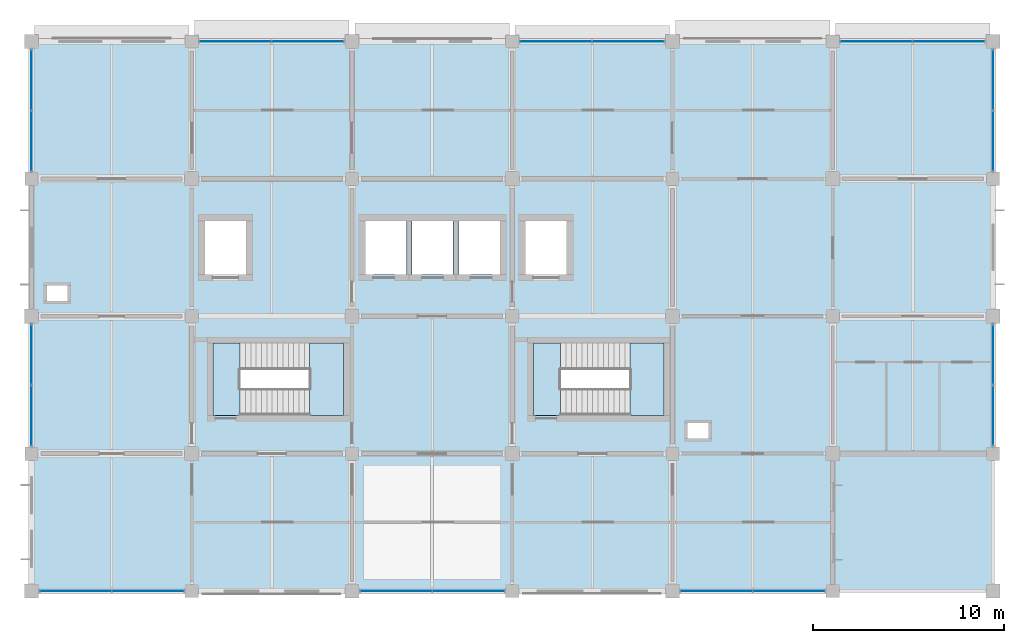
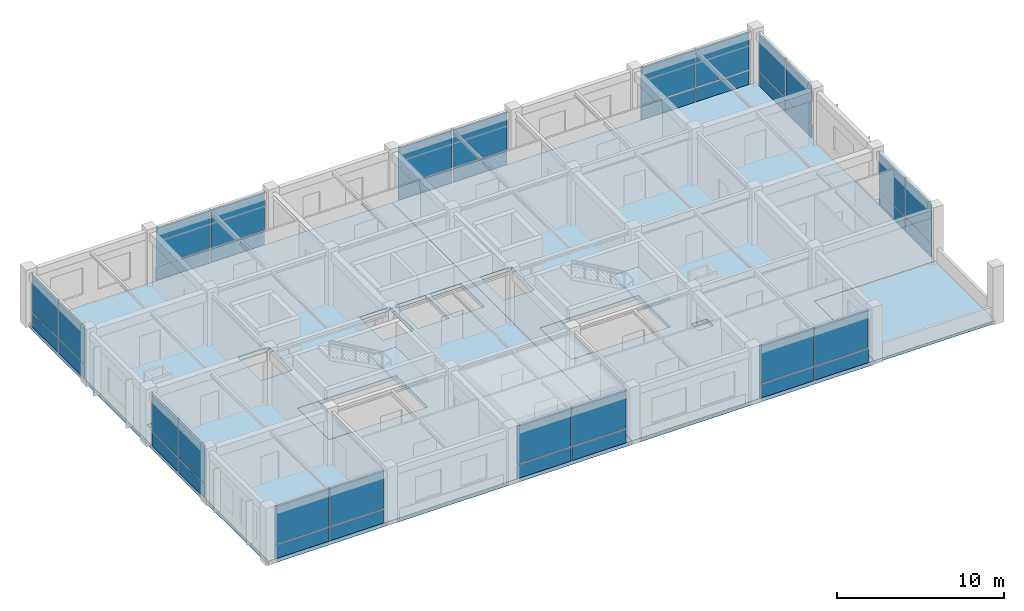
# One storey, part 7 of 14: 40 plates, 7 slabs, 12 elements without a shape of their own.
"""IFC4 building model written with IfcOpenShell, lengths in metres."""

from ifc_helpers import new_model, si_unit, derived_unit, direction, frame, origin, origin_2d, place, context, subcontext, project, spatial, polyline, rectangle, outline, extrude, material, layer, layer_set, type_object, element, aggregate, save


model = new_model("IFC4")

# Units and contexts
model_context = context("Model", 3, precision=1e-05, world=origin(), true_north=direction((0.0, 1.0)))
body_context = subcontext(model_context, "Body", "Model", "MODEL_VIEW")
ifc_project = project(units=[si_unit("LENGTHUNIT", "METRE"), si_unit("AREAUNIT", "SQUARE_METRE"), si_unit("VOLUMEUNIT", "CUBIC_METRE"), si_unit("PLANEANGLEUNIT", "RADIAN"), si_unit("MASSUNIT", "GRAM", prefix="KILO"), derived_unit("THERMALTRANSMITTANCEUNIT", [(si_unit("MASSUNIT", "GRAM", prefix="KILO"), 1), (si_unit("TIMEUNIT", "SECOND"), -3), (si_unit("THERMODYNAMICTEMPERATUREUNIT", "KELVIN"), -1)])], contexts=[model_context])

# Site, building, storey
site_placement = place(None, origin())
site = spatial("IfcSite", under=ifc_project, at=site_placement, CompositionType="ELEMENT")
building_placement = place(site_placement, origin())
building = spatial("IfcBuilding", under=site, at=building_placement, Name="Veldstrom Oceanarium and Marine Research Institute", CompositionType="ELEMENT")
storey_placement = place(building_placement, frame((0.0, 0.0, 35.39990234375)))
storey = spatial("IfcBuildingStorey", under=building, at=storey_placement, Name="L07", CompositionType="ELEMENT", Elevation=35.39990234375)

# Curtain wall, plates
ifc_material_1 = material(Name="Anodised Aluminium Framing", Category="aluminium")
curtain_wall_type_1 = type_object("IfcCurtainWallType", Name="ARC-CW-CW04", PredefinedType="USERDEFINED", material=ifc_material_1)
curtain_wall_1_placement = place(storey_placement, origin())
curtain_wall_1 = element("IfcCurtainWall", 1, at=curtain_wall_1_placement, inside=storey, type_object=curtain_wall_type_1, Name="Curtain Wall CW04 CW-L07-112", ObjectType="Curtain wall", PredefinedType="USERDEFINED")
ifc_material_2 = material(Name="Double Glazed Low-E IGU", Category="glass")
ifc_layer_1 = layer(ifc_material_2, 0.035888671875)
ifc_layer_set_1 = layer_set([ifc_layer_1], Name="ARC-PLT-CP03")
plate_type_1 = type_object("IfcPlateType", Name="ARC-PLT-CP03", PredefinedType="CURTAIN_PANEL", material=ifc_layer_set_1)
plate_1_placement = place(storey_placement, frame((69.513916015625, 43.199951171875, 1.090087890625), z_axis=(0.0, 0.0, 1.0), x_axis=(1.0, 0.0, 0.0)))
plate_1 = element("IfcPlate", 2, at=plate_1_placement, type_object=plate_type_1, Name="Curtain Vision Panel CW-L07-112-PNL-V1", PredefinedType="CURTAIN_PANEL", context=body_context, shape_type="SweptSolid", body=[
    extrude(rectangle(XDim=3.717529296875, YDim=0.035888671875, at=origin_2d()), origin(), (0.0, 0.0, 1.0), 2.81005859375),
])
plate_2_placement = place(storey_placement, frame((73.311279296875, 43.199951171875, 1.090087890625), z_axis=(0.0, 0.0, 1.0), x_axis=(1.0, 0.0, 0.0)))
plate_2 = element("IfcPlate", 3, at=plate_2_placement, type_object=plate_type_1, Name="Curtain Vision Panel CW-L07-112-PNL-V2", PredefinedType="CURTAIN_PANEL", context=body_context, shape_type="SweptSolid", body=[
    extrude(rectangle(XDim=3.717529296875, YDim=0.035888671875, at=origin_2d()), origin(), (0.0, 0.0, 1.0), 2.81005859375),
])

curtain_wall_2_placement = place(storey_placement, origin())
curtain_wall_2 = element("IfcCurtainWall", 4, at=curtain_wall_2_placement, inside=storey, type_object=curtain_wall_type_1, Name="Curtain Wall CW04 CW-L07-115", ObjectType="Curtain wall", PredefinedType="USERDEFINED")
plate_3_placement = place(storey_placement, frame((77.888916015625, 72.0, 1.090087890625), z_axis=(0.0, 0.0, 1.0), x_axis=(1.0, 0.0, 0.0)))
plate_3 = element("IfcPlate", 5, at=plate_3_placement, type_object=plate_type_1, Name="Curtain Vision Panel CW-L07-115-PNL-V1", PredefinedType="CURTAIN_PANEL", context=body_context, shape_type="SweptSolid", body=[
    extrude(rectangle(XDim=3.717529296875, YDim=0.035888671875, at=origin_2d()), origin(), (0.0, 0.0, 1.0), 2.81005859375),
])
plate_4_placement = place(storey_placement, frame((81.686279296875, 72.0, 1.090087890625), z_axis=(0.0, 0.0, 1.0), x_axis=(1.0, 0.0, 0.0)))
plate_4 = element("IfcPlate", 6, at=plate_4_placement, type_object=plate_type_1, Name="Curtain Vision Panel CW-L07-115-PNL-V2", PredefinedType="CURTAIN_PANEL", context=body_context, shape_type="SweptSolid", body=[
    extrude(rectangle(XDim=3.717529296875, YDim=0.035888671875, at=origin_2d()), origin(), (0.0, 0.0, 1.0), 2.81005859375),
])

curtain_wall_3_placement = place(storey_placement, origin())
curtain_wall_3 = element("IfcCurtainWall", 7, at=curtain_wall_3_placement, inside=storey, type_object=curtain_wall_type_1, Name="Curtain Wall CW04 CW-L07-116", ObjectType="Curtain wall", PredefinedType="USERDEFINED")
plate_5_placement = place(storey_placement, frame((86.313720703125, 43.199951171875, 1.090087890625), z_axis=(0.0, 0.0, 1.0), x_axis=(1.0, 0.0, 0.0)))
plate_5 = element("IfcPlate", 8, at=plate_5_placement, type_object=plate_type_1, Name="Curtain Vision Panel CW-L07-116-PNL-V1", PredefinedType="CURTAIN_PANEL", context=body_context, shape_type="SweptSolid", body=[
    extrude(rectangle(XDim=3.717529296875, YDim=0.035888671875, at=origin_2d()), origin(), (0.0, 0.0, 1.0), 2.81005859375),
])
plate_6_placement = place(storey_placement, frame((90.111083984375, 43.199951171875, 1.090087890625), z_axis=(0.0, 0.0, 1.0), x_axis=(1.0, 0.0, 0.0)))
plate_6 = element("IfcPlate", 9, at=plate_6_placement, type_object=plate_type_1, Name="Curtain Vision Panel CW-L07-116-PNL-V2", PredefinedType="CURTAIN_PANEL", context=body_context, shape_type="SweptSolid", body=[
    extrude(rectangle(XDim=3.717529296875, YDim=0.035888671875, at=origin_2d()), origin(), (0.0, 0.0, 1.0), 2.81005859375),
])

curtain_wall_4_placement = place(storey_placement, origin())
curtain_wall_4 = element("IfcCurtainWall", 10, at=curtain_wall_4_placement, inside=storey, type_object=curtain_wall_type_1, Name="Curtain Wall CW04 CW-L07-117", ObjectType="Curtain wall", PredefinedType="USERDEFINED")
plate_7_placement = place(storey_placement, frame((94.688720703125, 72.0, 1.090087890625), z_axis=(0.0, 0.0, 1.0), x_axis=(1.0, 0.0, 0.0)))
plate_7 = element("IfcPlate", 11, at=plate_7_placement, type_object=plate_type_1, Name="Curtain Vision Panel CW-L07-117-PNL-V1", PredefinedType="CURTAIN_PANEL", context=body_context, shape_type="SweptSolid", body=[
    extrude(rectangle(XDim=3.717529296875, YDim=0.035888671875, at=origin_2d()), origin(), (0.0, 0.0, 1.0), 2.81005859375),
])
plate_8_placement = place(storey_placement, frame((98.486083984375, 72.0, 1.090087890625), z_axis=(0.0, 0.0, 1.0), x_axis=(1.0, 0.0, 0.0)))
plate_8 = element("IfcPlate", 12, at=plate_8_placement, type_object=plate_type_1, Name="Curtain Vision Panel CW-L07-117-PNL-V2", PredefinedType="CURTAIN_PANEL", context=body_context, shape_type="SweptSolid", body=[
    extrude(rectangle(XDim=3.717529296875, YDim=0.035888671875, at=origin_2d()), origin(), (0.0, 0.0, 1.0), 2.81005859375),
])

curtain_wall_5_placement = place(storey_placement, origin())
curtain_wall_5 = element("IfcCurtainWall", 13, at=curtain_wall_5_placement, inside=storey, type_object=curtain_wall_type_1, Name="Curtain Wall CW04 CW-L07-118", ObjectType="Curtain wall", PredefinedType="USERDEFINED")
plate_9_placement = place(storey_placement, frame((103.11376953125, 43.199951171875, 1.090087890625), z_axis=(0.0, 0.0, 1.0), x_axis=(1.0, 0.0, 0.0)))
plate_9 = element("IfcPlate", 14, at=plate_9_placement, type_object=plate_type_1, Name="Curtain Vision Panel CW-L07-118-PNL-V1", PredefinedType="CURTAIN_PANEL", context=body_context, shape_type="SweptSolid", body=[
    extrude(rectangle(XDim=3.717529296875, YDim=0.035888671875, at=origin_2d()), origin(), (0.0, 0.0, 1.0), 2.81005859375),
])
plate_10_placement = place(storey_placement, frame((106.9111328125, 43.199951171875, 1.090087890625), z_axis=(0.0, 0.0, 1.0), x_axis=(1.0, 0.0, 0.0)))
plate_10 = element("IfcPlate", 15, at=plate_10_placement, type_object=plate_type_1, Name="Curtain Vision Panel CW-L07-118-PNL-V2", PredefinedType="CURTAIN_PANEL", context=body_context, shape_type="SweptSolid", body=[
    extrude(rectangle(XDim=3.717529296875, YDim=0.035888671875, at=origin_2d()), origin(), (0.0, 0.0, 1.0), 2.81005859375),
])

curtain_wall_6_placement = place(storey_placement, origin())
curtain_wall_6 = element("IfcCurtainWall", 16, at=curtain_wall_6_placement, inside=storey, type_object=curtain_wall_type_1, Name="Curtain Wall CW04 CW-L07-120", ObjectType="Curtain wall", PredefinedType="USERDEFINED")
plate_11_placement = place(storey_placement, frame((111.48876953125, 72.0, 1.090087890625), z_axis=(0.0, 0.0, 1.0), x_axis=(1.0, 0.0, 0.0)))
plate_11 = element("IfcPlate", 17, at=plate_11_placement, type_object=plate_type_1, Name="Curtain Vision Panel CW-L07-120-PNL-V1", PredefinedType="CURTAIN_PANEL", context=body_context, shape_type="SweptSolid", body=[
    extrude(rectangle(XDim=3.717529296875, YDim=0.035888671875, at=origin_2d()), origin(), (0.0, 0.0, 1.0), 2.81005859375),
])
plate_12_placement = place(storey_placement, frame((115.2861328125, 72.0, 1.090087890625), z_axis=(0.0, 0.0, 1.0), x_axis=(1.0, 0.0, 0.0)))
plate_12 = element("IfcPlate", 18, at=plate_12_placement, type_object=plate_type_1, Name="Curtain Vision Panel CW-L07-120-PNL-V2", PredefinedType="CURTAIN_PANEL", context=body_context, shape_type="SweptSolid", body=[
    extrude(rectangle(XDim=3.717529296875, YDim=0.035888671875, at=origin_2d()), origin(), (0.0, 0.0, 1.0), 2.81005859375),
])

# Plate
ifc_material_3 = material(Name="Insulated Aluminium Spandrel", Category="aluminium")
ifc_layer_2 = layer(ifc_material_3, 0.044921875)
ifc_layer_set_2 = layer_set([ifc_layer_2], Name="ARC-PLT-CP04")
plate_type_2 = type_object("IfcPlateType", Name="ARC-PLT-CP04", PredefinedType="CURTAIN_PANEL", material=ifc_layer_set_2)
plate_13_placement = place(storey_placement, frame((69.513916015625, 43.199951171875, 0.02001953125), z_axis=(0.0, 0.0, 1.0), x_axis=(1.0, 0.0, 0.0)))
plate_13 = element("IfcPlate", 19, at=plate_13_placement, type_object=plate_type_2, Name="Curtain Spandrel Panel CW-L07-112-PNL-S1", PredefinedType="CURTAIN_PANEL", context=body_context, shape_type="SweptSolid", body=[
    extrude(rectangle(XDim=3.717529296875, YDim=0.044921875, at=origin_2d()), origin(), (0.0, 0.0, 1.0), 0.989990234375),
])

plate_14_placement = place(storey_placement, frame((73.311279296875, 43.199951171875, 0.02001953125), z_axis=(0.0, 0.0, 1.0), x_axis=(1.0, 0.0, 0.0)))
plate_14 = element("IfcPlate", 20, at=plate_14_placement, type_object=plate_type_2, Name="Curtain Spandrel Panel CW-L07-112-PNL-S2", PredefinedType="CURTAIN_PANEL", context=body_context, shape_type="SweptSolid", body=[
    extrude(rectangle(XDim=3.717529296875, YDim=0.044921875, at=origin_2d()), origin(), (0.0, 0.0, 1.0), 0.989990234375),
])

aggregate(curtain_wall_1, [plate_13, plate_1, plate_14, plate_2])

plate_15_placement = place(storey_placement, frame((77.888916015625, 72.0, 0.02001953125), z_axis=(0.0, 0.0, 1.0), x_axis=(1.0, 0.0, 0.0)))
plate_15 = element("IfcPlate", 21, at=plate_15_placement, type_object=plate_type_2, Name="Curtain Spandrel Panel CW-L07-115-PNL-S1", PredefinedType="CURTAIN_PANEL", context=body_context, shape_type="SweptSolid", body=[
    extrude(rectangle(XDim=3.717529296875, YDim=0.044921875, at=origin_2d()), origin(), (0.0, 0.0, 1.0), 0.989990234375),
])

plate_16_placement = place(storey_placement, frame((81.686279296875, 72.0, 0.02001953125), z_axis=(0.0, 0.0, 1.0), x_axis=(1.0, 0.0, 0.0)))
plate_16 = element("IfcPlate", 22, at=plate_16_placement, type_object=plate_type_2, Name="Curtain Spandrel Panel CW-L07-115-PNL-S2", PredefinedType="CURTAIN_PANEL", context=body_context, shape_type="SweptSolid", body=[
    extrude(rectangle(XDim=3.717529296875, YDim=0.044921875, at=origin_2d()), origin(), (0.0, 0.0, 1.0), 0.989990234375),
])

aggregate(curtain_wall_2, [plate_15, plate_3, plate_16, plate_4])

plate_17_placement = place(storey_placement, frame((86.313720703125, 43.199951171875, 0.02001953125), z_axis=(0.0, 0.0, 1.0), x_axis=(1.0, 0.0, 0.0)))
plate_17 = element("IfcPlate", 23, at=plate_17_placement, type_object=plate_type_2, Name="Curtain Spandrel Panel CW-L07-116-PNL-S1", PredefinedType="CURTAIN_PANEL", context=body_context, shape_type="SweptSolid", body=[
    extrude(rectangle(XDim=3.717529296875, YDim=0.044921875, at=origin_2d()), origin(), (0.0, 0.0, 1.0), 0.989990234375),
])

plate_18_placement = place(storey_placement, frame((90.111083984375, 43.199951171875, 0.02001953125), z_axis=(0.0, 0.0, 1.0), x_axis=(1.0, 0.0, 0.0)))
plate_18 = element("IfcPlate", 24, at=plate_18_placement, type_object=plate_type_2, Name="Curtain Spandrel Panel CW-L07-116-PNL-S2", PredefinedType="CURTAIN_PANEL", context=body_context, shape_type="SweptSolid", body=[
    extrude(rectangle(XDim=3.717529296875, YDim=0.044921875, at=origin_2d()), origin(), (0.0, 0.0, 1.0), 0.989990234375),
])

aggregate(curtain_wall_3, [plate_17, plate_5, plate_18, plate_6])

plate_19_placement = place(storey_placement, frame((94.688720703125, 72.0, 0.02001953125), z_axis=(0.0, 0.0, 1.0), x_axis=(1.0, 0.0, 0.0)))
plate_19 = element("IfcPlate", 25, at=plate_19_placement, type_object=plate_type_2, Name="Curtain Spandrel Panel CW-L07-117-PNL-S1", PredefinedType="CURTAIN_PANEL", context=body_context, shape_type="SweptSolid", body=[
    extrude(rectangle(XDim=3.717529296875, YDim=0.044921875, at=origin_2d()), origin(), (0.0, 0.0, 1.0), 0.989990234375),
])

plate_20_placement = place(storey_placement, frame((98.486083984375, 72.0, 0.02001953125), z_axis=(0.0, 0.0, 1.0), x_axis=(1.0, 0.0, 0.0)))
plate_20 = element("IfcPlate", 26, at=plate_20_placement, type_object=plate_type_2, Name="Curtain Spandrel Panel CW-L07-117-PNL-S2", PredefinedType="CURTAIN_PANEL", context=body_context, shape_type="SweptSolid", body=[
    extrude(rectangle(XDim=3.717529296875, YDim=0.044921875, at=origin_2d()), origin(), (0.0, 0.0, 1.0), 0.989990234375),
])

aggregate(curtain_wall_4, [plate_19, plate_7, plate_20, plate_8])

plate_21_placement = place(storey_placement, frame((103.11376953125, 43.199951171875, 0.02001953125), z_axis=(0.0, 0.0, 1.0), x_axis=(1.0, 0.0, 0.0)))
plate_21 = element("IfcPlate", 27, at=plate_21_placement, type_object=plate_type_2, Name="Curtain Spandrel Panel CW-L07-118-PNL-S1", PredefinedType="CURTAIN_PANEL", context=body_context, shape_type="SweptSolid", body=[
    extrude(rectangle(XDim=3.717529296875, YDim=0.044921875, at=origin_2d()), origin(), (0.0, 0.0, 1.0), 0.989990234375),
])

plate_22_placement = place(storey_placement, frame((106.9111328125, 43.199951171875, 0.02001953125), z_axis=(0.0, 0.0, 1.0), x_axis=(1.0, 0.0, 0.0)))
plate_22 = element("IfcPlate", 28, at=plate_22_placement, type_object=plate_type_2, Name="Curtain Spandrel Panel CW-L07-118-PNL-S2", PredefinedType="CURTAIN_PANEL", context=body_context, shape_type="SweptSolid", body=[
    extrude(rectangle(XDim=3.717529296875, YDim=0.044921875, at=origin_2d()), origin(), (0.0, 0.0, 1.0), 0.989990234375),
])

aggregate(curtain_wall_5, [plate_21, plate_9, plate_22, plate_10])

plate_23_placement = place(storey_placement, frame((111.48876953125, 72.0, 0.02001953125), z_axis=(0.0, 0.0, 1.0), x_axis=(1.0, 0.0, 0.0)))
plate_23 = element("IfcPlate", 29, at=plate_23_placement, type_object=plate_type_2, Name="Curtain Spandrel Panel CW-L07-120-PNL-S1", PredefinedType="CURTAIN_PANEL", context=body_context, shape_type="SweptSolid", body=[
    extrude(rectangle(XDim=3.717529296875, YDim=0.044921875, at=origin_2d()), origin(), (0.0, 0.0, 1.0), 0.989990234375),
])

plate_24_placement = place(storey_placement, frame((115.2861328125, 72.0, 0.02001953125), z_axis=(0.0, 0.0, 1.0), x_axis=(1.0, 0.0, 0.0)))
plate_24 = element("IfcPlate", 30, at=plate_24_placement, type_object=plate_type_2, Name="Curtain Spandrel Panel CW-L07-120-PNL-S2", PredefinedType="CURTAIN_PANEL", context=body_context, shape_type="SweptSolid", body=[
    extrude(rectangle(XDim=3.717529296875, YDim=0.044921875, at=origin_2d()), origin(), (0.0, 0.0, 1.0), 0.989990234375),
])

aggregate(curtain_wall_6, [plate_23, plate_11, plate_24, plate_12])

# Curtain wall, plates
ifc_material_4 = material(Name="Anodised Aluminium Framing", Category="aluminium")
curtain_wall_type_2 = type_object("IfcCurtainWallType", Name="ARC-CW-CW08", PredefinedType="USERDEFINED", material=ifc_material_4)
curtain_wall_7_placement = place(storey_placement, origin())
curtain_wall_7 = element("IfcCurtainWall", 31, at=curtain_wall_7_placement, inside=storey, type_object=curtain_wall_type_2, Name="Curtain Wall CW08 CW-L07-113", ObjectType="Curtain wall", PredefinedType="USERDEFINED")
ifc_material_5 = material(Name="Double Glazed Low-E IGU", Category="glass")
ifc_layer_3 = layer(ifc_material_5, 0.035888671875)
ifc_layer_set_3 = layer_set([ifc_layer_3], Name="ARC-PLT-CP07")
plate_type_3 = type_object("IfcPlateType", Name="ARC-PLT-CP07", PredefinedType="CURTAIN_PANEL", material=ifc_layer_set_3)
plate_25_placement = place(storey_placement, frame((67.199951171875, 52.388916015625, 1.090087890625), z_axis=(0.0, 0.0, 1.0), x_axis=(0.0, 1.0, 0.0)))
plate_25 = element("IfcPlate", 32, at=plate_25_placement, type_object=plate_type_3, Name="Curtain Vision Panel CW-L07-113-PNL-V1", PredefinedType="CURTAIN_PANEL", context=body_context, shape_type="SweptSolid", body=[
    extrude(rectangle(XDim=3.117431640625, YDim=0.035888671875, at=origin_2d()), origin(), (0.0, 0.0, 1.0), 2.81005859375),
])
plate_26_placement = place(storey_placement, frame((67.199951171875, 55.586181640625, 1.090087890625), z_axis=(0.0, 0.0, 1.0), x_axis=(0.0, 1.0, 0.0)))
plate_26 = element("IfcPlate", 33, at=plate_26_placement, type_object=plate_type_3, Name="Curtain Vision Panel CW-L07-113-PNL-V2", PredefinedType="CURTAIN_PANEL", context=body_context, shape_type="SweptSolid", body=[
    extrude(rectangle(XDim=3.117431640625, YDim=0.035888671875, at=origin_2d()), origin(), (0.0, 0.0, 1.0), 2.81005859375),
])

curtain_wall_8_placement = place(storey_placement, origin())
curtain_wall_8 = element("IfcCurtainWall", 34, at=curtain_wall_8_placement, inside=storey, type_object=curtain_wall_type_2, Name="Curtain Wall CW08 CW-L07-114", ObjectType="Curtain wall", PredefinedType="USERDEFINED")
plate_27_placement = place(storey_placement, frame((67.199951171875, 66.788818359375, 1.090087890625), z_axis=(0.0, 0.0, 1.0), x_axis=(0.0, 1.0, 0.0)))
plate_27 = element("IfcPlate", 35, at=plate_27_placement, type_object=plate_type_3, Name="Curtain Vision Panel CW-L07-114-PNL-V1", PredefinedType="CURTAIN_PANEL", context=body_context, shape_type="SweptSolid", body=[
    extrude(rectangle(XDim=3.117431640625, YDim=0.035888671875, at=origin_2d()), origin(), (0.0, 0.0, 1.0), 2.81005859375),
])
plate_28_placement = place(storey_placement, frame((67.199951171875, 69.986328125, 1.090087890625), z_axis=(0.0, 0.0, 1.0), x_axis=(0.0, 1.0, 0.0)))
plate_28 = element("IfcPlate", 36, at=plate_28_placement, type_object=plate_type_3, Name="Curtain Vision Panel CW-L07-114-PNL-V2", PredefinedType="CURTAIN_PANEL", context=body_context, shape_type="SweptSolid", body=[
    extrude(rectangle(XDim=3.117431640625, YDim=0.035888671875, at=origin_2d()), origin(), (0.0, 0.0, 1.0), 2.81005859375),
])

curtain_wall_9_placement = place(storey_placement, origin())
curtain_wall_9 = element("IfcCurtainWall", 37, at=curtain_wall_9_placement, inside=storey, type_object=curtain_wall_type_2, Name="Curtain Wall CW08 CW-L07-119", ObjectType="Curtain wall", PredefinedType="USERDEFINED")
plate_29_placement = place(storey_placement, frame((117.60009765625, 52.388916015625, 1.090087890625), z_axis=(0.0, 0.0, 1.0), x_axis=(0.0, 1.0, 0.0)))
plate_29 = element("IfcPlate", 38, at=plate_29_placement, type_object=plate_type_3, Name="Curtain Vision Panel CW-L07-119-PNL-V1", PredefinedType="CURTAIN_PANEL", context=body_context, shape_type="SweptSolid", body=[
    extrude(rectangle(XDim=3.117431640625, YDim=0.035888671875, at=origin_2d()), origin(), (0.0, 0.0, 1.0), 2.81005859375),
])
plate_30_placement = place(storey_placement, frame((117.60009765625, 55.586181640625, 1.090087890625), z_axis=(0.0, 0.0, 1.0), x_axis=(0.0, 1.0, 0.0)))
plate_30 = element("IfcPlate", 39, at=plate_30_placement, type_object=plate_type_3, Name="Curtain Vision Panel CW-L07-119-PNL-V2", PredefinedType="CURTAIN_PANEL", context=body_context, shape_type="SweptSolid", body=[
    extrude(rectangle(XDim=3.117431640625, YDim=0.035888671875, at=origin_2d()), origin(), (0.0, 0.0, 1.0), 2.81005859375),
])

curtain_wall_10_placement = place(storey_placement, origin())
curtain_wall_10 = element("IfcCurtainWall", 40, at=curtain_wall_10_placement, inside=storey, type_object=curtain_wall_type_2, Name="Curtain Wall CW08 CW-L07-121", ObjectType="Curtain wall", PredefinedType="USERDEFINED")
plate_31_placement = place(storey_placement, frame((117.60009765625, 66.788818359375, 1.090087890625), z_axis=(0.0, 0.0, 1.0), x_axis=(0.0, 1.0, 0.0)))
plate_31 = element("IfcPlate", 41, at=plate_31_placement, type_object=plate_type_3, Name="Curtain Vision Panel CW-L07-121-PNL-V1", PredefinedType="CURTAIN_PANEL", context=body_context, shape_type="SweptSolid", body=[
    extrude(rectangle(XDim=3.117431640625, YDim=0.035888671875, at=origin_2d()), origin(), (0.0, 0.0, 1.0), 2.81005859375),
])
plate_32_placement = place(storey_placement, frame((117.60009765625, 69.986328125, 1.090087890625), z_axis=(0.0, 0.0, 1.0), x_axis=(0.0, 1.0, 0.0)))
plate_32 = element("IfcPlate", 42, at=plate_32_placement, type_object=plate_type_3, Name="Curtain Vision Panel CW-L07-121-PNL-V2", PredefinedType="CURTAIN_PANEL", context=body_context, shape_type="SweptSolid", body=[
    extrude(rectangle(XDim=3.117431640625, YDim=0.035888671875, at=origin_2d()), origin(), (0.0, 0.0, 1.0), 2.81005859375),
])

# Plate
ifc_material_6 = material(Name="Insulated Aluminium Spandrel", Category="aluminium")
ifc_layer_4 = layer(ifc_material_6, 0.044921875)
ifc_layer_set_4 = layer_set([ifc_layer_4], Name="ARC-PLT-CP08")
plate_type_4 = type_object("IfcPlateType", Name="ARC-PLT-CP08", PredefinedType="CURTAIN_PANEL", material=ifc_layer_set_4)
plate_33_placement = place(storey_placement, frame((67.199951171875, 52.388916015625, 0.02001953125), z_axis=(0.0, 0.0, 1.0), x_axis=(0.0, 1.0, 0.0)))
plate_33 = element("IfcPlate", 43, at=plate_33_placement, type_object=plate_type_4, Name="Curtain Spandrel Panel CW-L07-113-PNL-S1", PredefinedType="CURTAIN_PANEL", context=body_context, shape_type="SweptSolid", body=[
    extrude(rectangle(XDim=3.117431640625, YDim=0.044921875, at=origin_2d()), origin(), (0.0, 0.0, 1.0), 0.989990234375),
])

plate_34_placement = place(storey_placement, frame((67.199951171875, 55.586181640625, 0.02001953125), z_axis=(0.0, 0.0, 1.0), x_axis=(0.0, 1.0, 0.0)))
plate_34 = element("IfcPlate", 44, at=plate_34_placement, type_object=plate_type_4, Name="Curtain Spandrel Panel CW-L07-113-PNL-S2", PredefinedType="CURTAIN_PANEL", context=body_context, shape_type="SweptSolid", body=[
    extrude(rectangle(XDim=3.117431640625, YDim=0.044921875, at=origin_2d()), origin(), (0.0, 0.0, 1.0), 0.989990234375),
])

aggregate(curtain_wall_7, [plate_33, plate_25, plate_34, plate_26])

plate_35_placement = place(storey_placement, frame((67.199951171875, 66.788818359375, 0.02001953125), z_axis=(0.0, 0.0, 1.0), x_axis=(0.0, 1.0, 0.0)))
plate_35 = element("IfcPlate", 45, at=plate_35_placement, type_object=plate_type_4, Name="Curtain Spandrel Panel CW-L07-114-PNL-S1", PredefinedType="CURTAIN_PANEL", context=body_context, shape_type="SweptSolid", body=[
    extrude(rectangle(XDim=3.117431640625, YDim=0.044921875, at=origin_2d()), origin(), (0.0, 0.0, 1.0), 0.989990234375),
])

plate_36_placement = place(storey_placement, frame((67.199951171875, 69.986328125, 0.02001953125), z_axis=(0.0, 0.0, 1.0), x_axis=(0.0, 1.0, 0.0)))
plate_36 = element("IfcPlate", 46, at=plate_36_placement, type_object=plate_type_4, Name="Curtain Spandrel Panel CW-L07-114-PNL-S2", PredefinedType="CURTAIN_PANEL", context=body_context, shape_type="SweptSolid", body=[
    extrude(rectangle(XDim=3.117431640625, YDim=0.044921875, at=origin_2d()), origin(), (0.0, 0.0, 1.0), 0.989990234375),
])

aggregate(curtain_wall_8, [plate_35, plate_27, plate_36, plate_28])

plate_37_placement = place(storey_placement, frame((117.60009765625, 52.388916015625, 0.02001953125), z_axis=(0.0, 0.0, 1.0), x_axis=(0.0, 1.0, 0.0)))
plate_37 = element("IfcPlate", 47, at=plate_37_placement, type_object=plate_type_4, Name="Curtain Spandrel Panel CW-L07-119-PNL-S1", PredefinedType="CURTAIN_PANEL", context=body_context, shape_type="SweptSolid", body=[
    extrude(rectangle(XDim=3.117431640625, YDim=0.044921875, at=origin_2d()), origin(), (0.0, 0.0, 1.0), 0.989990234375),
])

plate_38_placement = place(storey_placement, frame((117.60009765625, 55.586181640625, 0.02001953125), z_axis=(0.0, 0.0, 1.0), x_axis=(0.0, 1.0, 0.0)))
plate_38 = element("IfcPlate", 48, at=plate_38_placement, type_object=plate_type_4, Name="Curtain Spandrel Panel CW-L07-119-PNL-S2", PredefinedType="CURTAIN_PANEL", context=body_context, shape_type="SweptSolid", body=[
    extrude(rectangle(XDim=3.117431640625, YDim=0.044921875, at=origin_2d()), origin(), (0.0, 0.0, 1.0), 0.989990234375),
])

aggregate(curtain_wall_9, [plate_37, plate_29, plate_38, plate_30])

plate_39_placement = place(storey_placement, frame((117.60009765625, 66.788818359375, 0.02001953125), z_axis=(0.0, 0.0, 1.0), x_axis=(0.0, 1.0, 0.0)))
plate_39 = element("IfcPlate", 49, at=plate_39_placement, type_object=plate_type_4, Name="Curtain Spandrel Panel CW-L07-121-PNL-S1", PredefinedType="CURTAIN_PANEL", context=body_context, shape_type="SweptSolid", body=[
    extrude(rectangle(XDim=3.117431640625, YDim=0.044921875, at=origin_2d()), origin(), (0.0, 0.0, 1.0), 0.989990234375),
])

plate_40_placement = place(storey_placement, frame((117.60009765625, 69.986328125, 0.02001953125), z_axis=(0.0, 0.0, 1.0), x_axis=(0.0, 1.0, 0.0)))
plate_40 = element("IfcPlate", 50, at=plate_40_placement, type_object=plate_type_4, Name="Curtain Spandrel Panel CW-L07-121-PNL-S2", PredefinedType="CURTAIN_PANEL", context=body_context, shape_type="SweptSolid", body=[
    extrude(rectangle(XDim=3.117431640625, YDim=0.044921875, at=origin_2d()), origin(), (0.0, 0.0, 1.0), 0.989990234375),
])

aggregate(curtain_wall_10, [plate_39, plate_31, plate_40, plate_32])

# Slabs
ifc_material_7 = material(Name="Concrete C40/50", Category="concrete")
ifc_layer_5 = layer(ifc_material_7, 0.280029296875)
ifc_layer_set_5 = layer_set([ifc_layer_5], Name="STR-SLB-FL0280")
slab_type_1 = type_object("IfcSlabType", Name="STR-SLB-FL0280", PredefinedType="FLOOR", material=ifc_layer_set_5)
slab_1_placement = place(storey_placement, frame((0.0, 0.0, -0.27978515625)))
element("IfcSlab", 51, at=slab_1_placement, inside=storey, type_object=slab_type_1, Name="Slab SF-280 L07 CW", PredefinedType="FLOOR", context=body_context, shape_type="SweptSolid", body=[
    extrude(outline(polyline([(92.39990234375, 50.39990234375), (92.39990234375, 43.199951171875), (84.0, 43.199951171875), (75.60009765625, 43.199951171875), (67.199951171875, 43.199951171875), (67.199951171875, 50.39990234375), (67.199951171875, 57.60009765625), (67.199951171875, 64.800048828125), (67.199951171875, 72.0), (75.60009765625, 72.0), (84.0, 72.0), (92.39990234375, 72.0), (92.39990234375, 64.800048828125), (92.39990234375, 57.60009765625), (92.39990234375, 50.39990234375)]), holes=[polyline([(83.56005859375, 52.39990234375), (83.56005859375, 56.199951171875), (76.719970703125, 56.199951171875), (76.719970703125, 52.39990234375), (83.56005859375, 52.39990234375)]), polyline([(76.300048828125, 62.60009765625), (76.300048828125, 59.800048828125), (78.449951171875, 59.800048828125), (78.449951171875, 62.60009765625), (76.300048828125, 62.60009765625)]), polyline([(86.85009765625, 59.800048828125), (86.85009765625, 62.60009765625), (84.699951171875, 62.60009765625), (84.699951171875, 59.800048828125), (86.85009765625, 59.800048828125)]), polyline([(87.14990234375, 59.800048828125), (89.300048828125, 59.800048828125), (89.300048828125, 62.60009765625), (87.14990234375, 62.60009765625), (87.14990234375, 59.800048828125)]), polyline([(89.60009765625, 62.60009765625), (89.60009765625, 59.800048828125), (91.75, 59.800048828125), (91.75, 62.60009765625), (89.60009765625, 62.60009765625)]), polyline([(69.10009765625, 59.199951171875), (68.0, 59.199951171875), (68.0, 58.39990234375), (69.10009765625, 58.39990234375), (69.10009765625, 59.199951171875)])]), origin(), (0.0, 0.0, 1.0), 0.27978515625),
])
slab_2_placement = place(storey_placement, frame((0.0, 0.0, -0.27978515625)))
element("IfcSlab", 52, at=slab_2_placement, inside=storey, type_object=slab_type_1, Name="Slab SF-280 L07 CE", PredefinedType="FLOOR", context=body_context, shape_type="SweptSolid", body=[
    extrude(outline(polyline([(117.60009765625, 57.60009765625), (117.60009765625, 50.39990234375), (109.199951171875, 50.39990234375), (109.199951171875, 43.199951171875), (100.800048828125, 43.199951171875), (92.39990234375, 43.199951171875), (92.39990234375, 50.39990234375), (92.39990234375, 57.60009765625), (92.39990234375, 64.800048828125), (92.39990234375, 72.0), (100.800048828125, 72.0), (109.199951171875, 72.0), (117.60009765625, 72.0), (117.60009765625, 64.800048828125), (117.60009765625, 57.60009765625)]), holes=[polyline([(93.52001953125, 52.39990234375), (100.360107421875, 52.39990234375), (100.360107421875, 56.199951171875), (93.52001953125, 56.199951171875), (93.52001953125, 52.39990234375)]), polyline([(95.25, 62.60009765625), (93.10009765625, 62.60009765625), (93.10009765625, 59.800048828125), (95.25, 59.800048828125), (95.25, 62.60009765625)]), polyline([(102.699951171875, 52.0), (101.60009765625, 52.0), (101.60009765625, 51.199951171875), (102.699951171875, 51.199951171875), (102.699951171875, 52.0)])]), origin(), (0.0, 0.0, 1.0), 0.27978515625),
])

# Stair, slab
ifc_material_8 = material(Name="Concrete C40/50", Category="concrete")
stair_type = type_object("IfcStairType", Name="ARC-STR-ST-420", PredefinedType="TWO_STRAIGHT_RUN_STAIR", material=ifc_material_8)
stair_1_placement = place(storey_placement, origin())
stair_1 = element("IfcStair", 53, at=stair_1_placement, inside=storey, type_object=stair_type, Name="Dog-Leg Escape Stair ST1-L07", PredefinedType="TWO_STRAIGHT_RUN_STAIR")
ifc_material_9 = material(Name="Concrete C40/50", Category="concrete")
ifc_layer_6 = layer(ifc_material_9, 0.179931640625)
ifc_layer_set_6 = layer_set([ifc_layer_6], Name="STR-SLB-LD180")
slab_type_2 = type_object("IfcSlabType", Name="STR-SLB-LD180", PredefinedType="LANDING", material=ifc_layer_set_6)
slab_3_placement = place(storey_placement, frame((0.0, 0.0, 1.920166015625)))
slab_3 = element("IfcSlab", 54, at=slab_3_placement, type_object=slab_type_2, Name="Stair Half-Landing ST1 L07", PredefinedType="LANDING", context=body_context, shape_type="SweptSolid", body=[
    extrude(outline(polyline([(81.780029296875, 52.39990234375), (83.56005859375, 52.39990234375), (83.56005859375, 56.199951171875), (81.780029296875, 56.199951171875), (81.780029296875, 52.39990234375)])), origin(), (0.0, 0.0, 1.0), 0.179931640625),
])
aggregate(stair_1, [slab_3])

stair_2_placement = place(storey_placement, origin())
stair_2 = element("IfcStair", 55, at=stair_2_placement, inside=storey, type_object=stair_type, Name="Dog-Leg Escape Stair ST2-L07", PredefinedType="TWO_STRAIGHT_RUN_STAIR")
slab_4_placement = place(storey_placement, frame((0.0, 0.0, 1.920166015625)))
slab_4 = element("IfcSlab", 56, at=slab_4_placement, type_object=slab_type_2, Name="Stair Half-Landing ST2 L07", PredefinedType="LANDING", context=body_context, shape_type="SweptSolid", body=[
    extrude(outline(polyline([(98.580078125, 52.39990234375), (100.360107421875, 52.39990234375), (100.360107421875, 56.199951171875), (98.580078125, 56.199951171875), (98.580078125, 52.39990234375)])), origin(), (0.0, 0.0, 1.0), 0.179931640625),
])
aggregate(stair_2, [slab_4])

# Slabs
ifc_material_10 = material(Name="Concrete C40/50", Category="concrete")
ifc_layer_7 = layer(ifc_material_10, 0.199951171875)
ifc_layer_set_7 = layer_set([ifc_layer_7], Name="STR-SLB-LD200")
slab_type_3 = type_object("IfcSlabType", Name="STR-SLB-LD200", PredefinedType="LANDING", material=ifc_layer_set_7)
slab_5_placement = place(storey_placement, frame((0.0, 0.0, -0.199951171875)))
element("IfcSlab", 57, at=slab_5_placement, inside=storey, type_object=slab_type_3, Name="Stair Floor Landing ST1 L07", PredefinedType="LANDING", context=body_context, shape_type="SweptSolid", body=[
    extrude(outline(polyline([(76.719970703125, 52.39990234375), (78.139892578125, 52.39990234375), (78.139892578125, 56.199951171875), (76.719970703125, 56.199951171875), (76.719970703125, 52.39990234375)])), origin(), (0.0, 0.0, 1.0), 0.199951171875),
])
slab_6_placement = place(storey_placement, frame((0.0, 0.0, -0.199951171875)))
element("IfcSlab", 58, at=slab_6_placement, inside=storey, type_object=slab_type_3, Name="Stair Floor Landing ST2 L07", PredefinedType="LANDING", context=body_context, shape_type="SweptSolid", body=[
    extrude(outline(polyline([(93.52001953125, 52.39990234375), (94.93994140625, 52.39990234375), (94.93994140625, 56.199951171875), (93.52001953125, 56.199951171875), (93.52001953125, 52.39990234375)])), origin(), (0.0, 0.0, 1.0), 0.199951171875),
])
ifc_material_11 = material(Name="Concrete C40/50", Category="concrete")
ifc_layer_8 = layer(ifc_material_11, 0.199951171875)
ifc_layer_set_8 = layer_set([ifc_layer_8], Name="STR-SLB-RF0200")
slab_type_4 = type_object("IfcSlabType", Name="STR-SLB-RF0200", PredefinedType="ROOF", material=ifc_layer_set_8)
slab_7_placement = place(storey_placement, frame((0.0, 0.0, -0.199951171875)))
element("IfcSlab", 59, at=slab_7_placement, inside=storey, type_object=slab_type_4, Name="Maintenance Roof Slab L06", PredefinedType="ROOF", context=body_context, shape_type="SweptSolid", body=[
    extrude(outline(polyline([(117.60009765625, 43.199951171875), (117.60009765625, 50.39990234375), (109.199951171875, 50.39990234375), (109.199951171875, 43.199951171875), (117.60009765625, 43.199951171875)])), origin(), (0.0, 0.0, 1.0), 0.199951171875),
])

save(model, "model.ifc")
